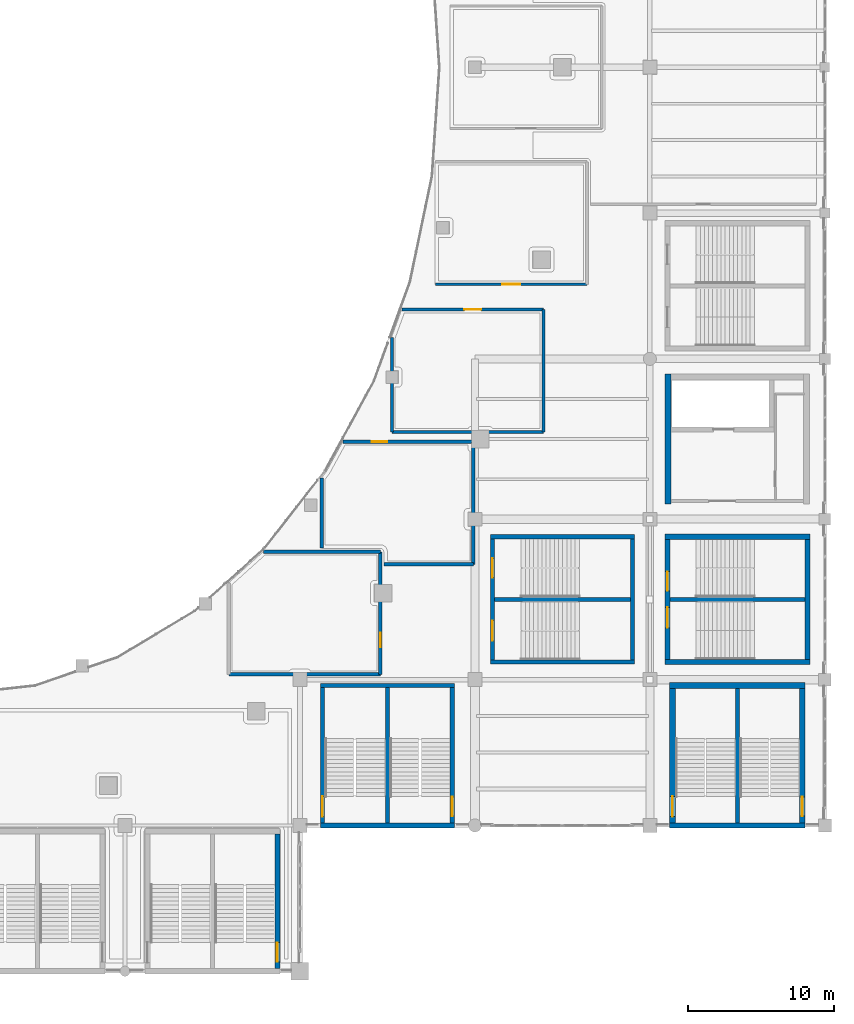
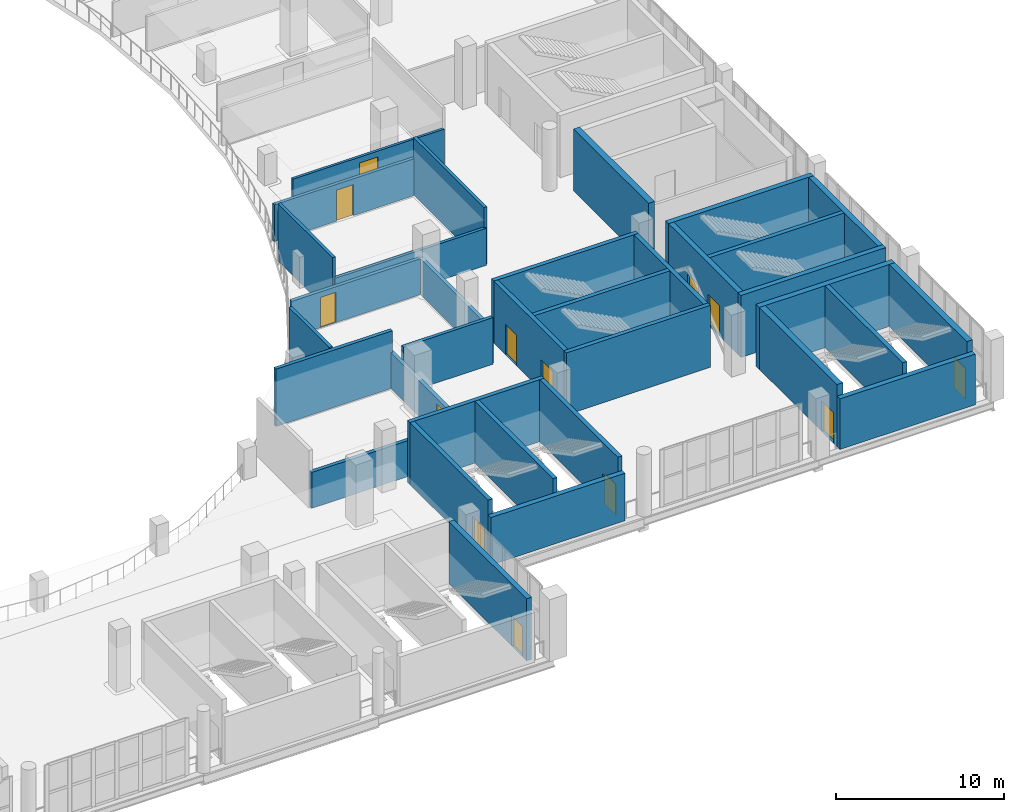
# One storey, part 66 of 90: 34 walls, 13 doors, 13 openings.
"""IFC4 building model written with IfcOpenShell, lengths in metres."""

from ifc_helpers import new_model, si_unit, direction, frame, frame_2d, origin, place, context, subcontext, project, spatial, rectangle, extrude, material, layer, layer_set, type_object, element, fill, save


model = new_model("IFC4")

# Units and contexts
model_context = context("Model", 3, precision=1e-05, world=origin(), true_north=direction((0.0, 1.0)))
body_context = subcontext(model_context, "Body", "Model", "MODEL_VIEW")
ifc_project = project(units=[si_unit("LENGTHUNIT", "METRE"), si_unit("AREAUNIT", "SQUARE_METRE"), si_unit("VOLUMEUNIT", "CUBIC_METRE"), si_unit("PLANEANGLEUNIT", "RADIAN"), si_unit("MASSUNIT", "GRAM", prefix="KILO")], contexts=[model_context])

# Site, building, storey
site_placement = place(None, origin())
site = spatial("IfcSite", under=ifc_project, at=site_placement, CompositionType="ELEMENT")
building_placement = place(site_placement, origin())
building = spatial("IfcBuilding", under=site, at=building_placement, Name="Brinegate Civic Arena", CompositionType="ELEMENT")
storey_placement = place(building_placement, frame((0.0, 0.0, 14.699951171875)))
storey = spatial("IfcBuildingStorey", under=building, at=storey_placement, Name="L03", CompositionType="ELEMENT", Elevation=14.699951171875)

# Wall, opening, door
ifc_material_1 = material(Name="Concrete C50/60", Category="concrete")
ifc_layer_1 = layer(ifc_material_1, 0.35009765625, Name="Concrete C50/60")
ifc_layer_set_1 = layer_set([ifc_layer_1], Name="Concrete C50/60")
wall_type_1 = type_object("IfcWallType", Name="WALL-CORE-SHEAR-350", PredefinedType="SHEAR", material=ifc_layer_set_1)
wall_1_placement = place(storey_placement, frame((130.449951171875, 0.175048828125, 0.0), z_axis=(0.0, 0.0, 1.0), x_axis=(0.0, 1.0, 0.0)))
wall_1 = element("IfcWall", 1, at=wall_1_placement, inside=storey, type_object=wall_type_1, Name="Stair ST-04 East Shear Wall L03 (WBC-11)", PredefinedType="SHEAR", context=body_context, shape_type="SweptSolid", body=[
    extrude(rectangle(XDim=9.25, YDim=0.35009765625, at=frame_2d((4.625, 0.0))), origin(), (0.0, 0.0, 1.0), 4.5),
])
opening_1_placement = place(wall_1_placement, frame((0.465087890625, 0.0, 0.0)))
opening_1 = element("IfcOpeningElement", 2, at=opening_1_placement, cuts=wall_1, Name="Opening D-ST04B-L03", PredefinedType="OPENING", context=body_context, shape_type="SweptSolid", body=[
    extrude(rectangle(XDim=1.320068359375, YDim=2.199951171875, at=frame_2d((0.66015625, 1.10009765625))), frame((0.0, 0.18505859375, 0.0), z_axis=(0.0, -1.0, 0.0), x_axis=(1.0, 0.0, 0.0)), (0.0, 0.0, 1.0), 0.3701171875),
])
ifc_material_2 = material(Name="Galvanized hurricane steel", Category="steel")
door_type_1 = type_object("IfcDoorType", Name="DOOR-STAIR-2200X2200", OperationType="NOTDEFINED", PredefinedType="DOOR", material=ifc_material_2)
door_1_placement = place(opening_1_placement, origin())
door_1 = element("IfcDoor", 3, at=door_1_placement, inside=storey, type_object=door_type_1, Name="Protected Exit Stair Door D-ST04B-L03", OperationType="DOUBLE_DOOR_SINGLE_SWING", OverallHeight=2.199951171875, OverallWidth=1.320068359375, PredefinedType="DOOR", context=body_context, shape_type="SweptSolid", body=[
    extrude(rectangle(XDim=1.320068359375, YDim=2.199951171875, at=frame_2d((0.66015625, 1.10009765625))), frame((0.0, 0.02490234375, 0.0), z_axis=(0.0, -1.0, 0.0), x_axis=(1.0, 0.0, 0.0)), (0.0, 0.0, 1.0), 0.050048828125),
])
fill(opening_1, door_1)

# Walls
for number, where, z_axis, x_axis, name in (
    (4, (157.02490234375, 21.199951171875, 0.0), (0.0, 0.0, 1.0), (1.0, 0.0, 0.0), "Stair ST-19 South Shear Wall L03 (WBL-41)"),
    (5, (157.02490234375, 29.800048828125, 0.0), (0.0, 0.0, 1.0), (1.0, 0.0, 0.0), "Stair ST-19 North Shear Wall L03 (WBL-42)"),
):
    element("IfcWall", number, at=place(storey_placement, frame(where, z_axis=z_axis, x_axis=x_axis)), inside=storey, type_object=wall_type_1, Name=name, PredefinedType="SHEAR", context=body_context, shape_type="SweptSolid", body=[
        extrude(rectangle(XDim=9.9501953125, YDim=0.35009765625, at=frame_2d((4.97509765625, 0.0))), origin(), (0.0, 0.0, 1.0), 4.5),
    ])

# Wall, openings, doors
wall_2_placement = place(storey_placement, frame((157.199951171875, 21.375, 0.0), z_axis=(0.0, 0.0, 1.0), x_axis=(0.0, 1.0, 0.0)))
wall_2 = element("IfcWall", 6, at=wall_2_placement, inside=storey, type_object=wall_type_1, Name="Stair ST-19 West Shear Wall L03 (WBL-43)", PredefinedType="SHEAR", context=body_context, shape_type="SweptSolid", body=[
    extrude(rectangle(XDim=8.25, YDim=0.35009765625, at=frame_2d((4.125, 0.0))), origin(), (0.0, 0.0, 1.0), 4.5),
])
opening_2_placement = place(wall_2_placement, frame((2.175048828125, 0.0, 0.0)))
opening_2 = element("IfcOpeningElement", 7, at=opening_2_placement, cuts=wall_2, Name="Opening D-ST19A-L03", PredefinedType="OPENING", context=body_context, shape_type="SweptSolid", body=[
    extrude(rectangle(XDim=1.39990234375, YDim=2.199951171875, at=frame_2d((0.699951171875, 1.10009765625))), frame((0.0, 0.18505859375, 0.0), z_axis=(0.0, -1.0, 0.0), x_axis=(1.0, 0.0, 0.0)), (0.0, 0.0, 1.0), 0.3701171875),
])
opening_3_placement = place(wall_2_placement, frame((4.715087890625, 0.0, 0.0)))
opening_3 = element("IfcOpeningElement", 8, at=opening_3_placement, cuts=wall_2, Name="Opening D-ST19B-L03", PredefinedType="OPENING", context=body_context, shape_type="SweptSolid", body=[
    extrude(rectangle(XDim=1.320068359375, YDim=2.199951171875, at=frame_2d((0.66015625, 1.10009765625))), frame((0.0, 0.18505859375, 0.0), z_axis=(0.0, -1.0, 0.0), x_axis=(1.0, 0.0, 0.0)), (0.0, 0.0, 1.0), 0.3701171875),
])
door_2_placement = place(opening_3_placement, origin())
door_2 = element("IfcDoor", 9, at=door_2_placement, inside=storey, type_object=door_type_1, Name="Protected Exit Stair Door D-ST19B-L03", OperationType="DOUBLE_DOOR_SINGLE_SWING", OverallHeight=2.199951171875, OverallWidth=1.320068359375, PredefinedType="DOOR", context=body_context, shape_type="SweptSolid", body=[
    extrude(rectangle(XDim=1.320068359375, YDim=2.199951171875, at=frame_2d((0.66015625, 1.10009765625))), frame((0.0, 0.02490234375, 0.0), z_axis=(0.0, -1.0, 0.0), x_axis=(1.0, 0.0, 0.0)), (0.0, 0.0, 1.0), 0.050048828125),
])
fill(opening_3, door_2)
door_type_2 = type_object("IfcDoorType", Name="DOOR-STAIR-2400X2200", OperationType="NOTDEFINED", PredefinedType="DOOR", material=ifc_material_2)
door_3_placement = place(opening_2_placement, origin())
door_3 = element("IfcDoor", 10, at=door_3_placement, inside=storey, type_object=door_type_2, Name="Protected Exit Stair Door D-ST19A-L03", OperationType="DOUBLE_DOOR_SINGLE_SWING", OverallHeight=2.199951171875, OverallWidth=1.39990234375, PredefinedType="DOOR", context=body_context, shape_type="SweptSolid", body=[
    extrude(rectangle(XDim=1.39990234375, YDim=2.199951171875, at=frame_2d((0.699951171875, 1.10009765625))), frame((0.0, 0.02490234375, 0.0), z_axis=(0.0, -1.0, 0.0), x_axis=(1.0, 0.0, 0.0)), (0.0, 0.0, 1.0), 0.050048828125),
])
fill(opening_2, door_3)

# Walls
wall_3_placement = place(storey_placement, frame((166.800048828125, 21.375, 0.0), z_axis=(0.0, 0.0, 1.0), x_axis=(0.0, 1.0, 0.0)))
element("IfcWall", 11, at=wall_3_placement, inside=storey, type_object=wall_type_1, Name="Stair ST-19 East Shear Wall L03 (WBL-44)", PredefinedType="SHEAR", context=body_context, shape_type="SweptSolid", body=[
    extrude(rectangle(XDim=8.25, YDim=0.35009765625, at=frame_2d((4.125, 0.0))), origin(), (0.0, 0.0, 1.0), 4.5),
])
ifc_layer_2 = layer(ifc_material_1, 0.389892578125, Name="Concrete C50/60")
ifc_layer_set_2 = layer_set([ifc_layer_2], Name="Concrete C50/60")
wall_type_2 = type_object("IfcWallType", Name="WALL-CORE-SHEAR-390", PredefinedType="SHEAR", material=ifc_layer_set_2)
wall_4_placement = place(storey_placement, frame((157.35498046875, 19.60009765625, 0.0), z_axis=(0.0, 0.0, 1.0), x_axis=(1.0, 0.0, 0.0)))
element("IfcWall", 12, at=wall_4_placement, inside=storey, type_object=wall_type_2, Name="Stair ST-06 North Shear Wall L03 (WBC-59)", PredefinedType="SHEAR", context=body_context, shape_type="SweptSolid", body=[
    extrude(rectangle(XDim=9.2900390625, YDim=0.389892578125, at=frame_2d((4.64501953125, 0.0))), origin(), (0.0, 0.0, 1.0), 4.5),
])

# Wall, opening, door
wall_5_placement = place(storey_placement, frame((157.550048828125, 10.175048828125, 0.0), z_axis=(0.0, 0.0, 1.0), x_axis=(0.0, 1.0, 0.0)))
wall_5 = element("IfcWall", 13, at=wall_5_placement, inside=storey, type_object=wall_type_2, Name="Stair ST-06 West Shear Wall L03 (WBC-60)", PredefinedType="SHEAR", context=body_context, shape_type="SweptSolid", body=[
    extrude(rectangle(XDim=9.22998046875, YDim=0.389892578125, at=frame_2d((4.614990234375, 0.0))), origin(), (0.0, 0.0, 1.0), 4.5),
])
opening_4_placement = place(wall_5_placement, frame((0.425048828125, 0.0, 0.0)))
opening_4 = element("IfcOpeningElement", 14, at=opening_4_placement, cuts=wall_5, Name="Opening D-ST06A-L03", PredefinedType="OPENING", context=body_context, shape_type="SweptSolid", body=[
    extrude(rectangle(XDim=1.39990234375, YDim=2.199951171875, at=frame_2d((0.699951171875, 1.10009765625))), frame((0.0, 0.204833984375, 0.0), z_axis=(0.0, -1.0, 0.0), x_axis=(1.0, 0.0, 0.0)), (0.0, 0.0, 1.0), 0.409912109375),
])
door_4_placement = place(opening_4_placement, frame((1.39990234375, 0.0, 0.0), z_axis=(0.0, 0.0, 1.0), x_axis=(-1.0, 0.0, 0.0)))
door_4 = element("IfcDoor", 15, at=door_4_placement, inside=storey, type_object=door_type_2, Name="Protected Exit Stair Door D-ST06A-L03", OperationType="DOUBLE_DOOR_SINGLE_SWING", OverallHeight=2.199951171875, OverallWidth=1.39990234375, PredefinedType="DOOR", context=body_context, shape_type="SweptSolid", body=[
    extrude(rectangle(XDim=1.39990234375, YDim=2.199951171875, at=frame_2d((0.699951171875, 1.10009765625))), frame((0.0, 0.02490234375, 0.0), z_axis=(0.0, -1.0, 0.0), x_axis=(1.0, 0.0, 0.0)), (0.0, 0.0, 1.0), 0.050048828125),
])
fill(opening_4, door_4)

wall_6_placement = place(storey_placement, frame((166.449951171875, 10.175048828125, 0.0), z_axis=(0.0, 0.0, 1.0), x_axis=(0.0, 1.0, 0.0)))
wall_6 = element("IfcWall", 16, at=wall_6_placement, inside=storey, type_object=wall_type_2, Name="Stair ST-06 East Shear Wall L03 (WBC-61)", PredefinedType="SHEAR", context=body_context, shape_type="SweptSolid", body=[
    extrude(rectangle(XDim=9.22998046875, YDim=0.389892578125, at=frame_2d((4.614990234375, 0.0))), origin(), (0.0, 0.0, 1.0), 4.5),
])
opening_5_placement = place(wall_6_placement, frame((0.465087890625, 0.0, 0.0)))
opening_5 = element("IfcOpeningElement", 17, at=opening_5_placement, cuts=wall_6, Name="Opening D-ST06B-L03", PredefinedType="OPENING", context=body_context, shape_type="SweptSolid", body=[
    extrude(rectangle(XDim=1.320068359375, YDim=2.199951171875, at=frame_2d((0.66015625, 1.10009765625))), frame((0.0, 0.204833984375, 0.0), z_axis=(0.0, -1.0, 0.0), x_axis=(1.0, 0.0, 0.0)), (0.0, 0.0, 1.0), 0.409912109375),
])
door_5_placement = place(opening_5_placement, origin())
door_5 = element("IfcDoor", 18, at=door_5_placement, inside=storey, type_object=door_type_1, Name="Protected Exit Stair Door D-ST06B-L03", OperationType="DOUBLE_DOOR_SINGLE_SWING", OverallHeight=2.199951171875, OverallWidth=1.320068359375, PredefinedType="DOOR", context=body_context, shape_type="SweptSolid", body=[
    extrude(rectangle(XDim=1.320068359375, YDim=2.199951171875, at=frame_2d((0.66015625, 1.10009765625))), frame((0.0, 0.02490234375, 0.0), z_axis=(0.0, -1.0, 0.0), x_axis=(1.0, 0.0, 0.0)), (0.0, 0.0, 1.0), 0.050048828125),
])
fill(opening_5, door_5)

# Walls
ifc_layer_3 = layer(ifc_material_1, 0.419921875, Name="Concrete C50/60")
ifc_layer_set_3 = layer_set([ifc_layer_3], Name="Concrete C50/60")
wall_type_3 = type_object("IfcWallType", Name="WALL-CORE-SHEAR-420", PredefinedType="SHEAR", material=ifc_layer_set_3)
wall_7_placement = place(storey_placement, frame((157.25, 32.0400390625, 0.0), z_axis=(0.0, 0.0, 1.0), x_axis=(0.0, 1.0, 0.0)))
element("IfcWall", 19, at=wall_7_placement, inside=storey, type_object=wall_type_3, Name="Core K6 West Shear Wall L03 (WBI-05)", PredefinedType="SHEAR", context=body_context, shape_type="SweptSolid", body=[
    extrude(rectangle(XDim=8.919921875, YDim=0.419921875, at=frame_2d((4.4599609375, 0.0))), origin(), (0.0, 0.0, 1.0), 4.5),
])
ifc_layer_4 = layer(ifc_material_1, 0.35009765625, Name="Concrete C50/60")
ifc_layer_set_4 = layer_set([ifc_layer_4], Name="Concrete C50/60")
wall_type_4 = type_object("IfcWallType", Name="WALL-EXT-STAIR-SHEAR-350", PredefinedType="SHEAR", material=ifc_layer_set_4)
wall_8_placement = place(storey_placement, frame((157.35498046875, 10.0, 0.0), z_axis=(0.0, 0.0, 1.0), x_axis=(1.0, 0.0, 0.0)))
element("IfcWall", 20, at=wall_8_placement, inside=storey, type_object=wall_type_4, Name="Stair ST-06 South Shear Wall L03 (WBC-58)", PredefinedType="SHEAR", context=body_context, shape_type="SweptSolid", body=[
    extrude(rectangle(XDim=9.2900390625, YDim=0.35009765625, at=frame_2d((4.64501953125, 0.0))), origin(), (0.0, 0.0, 1.0), 3.674072265625),
])
wall_9_placement = place(storey_placement, frame((133.405029296875, 10.0, 0.0), z_axis=(0.0, 0.0, 1.0), x_axis=(1.0, 0.0, 0.0)))
element("IfcWall", 21, at=wall_9_placement, inside=storey, type_object=wall_type_4, Name="Stair ST-14 South Shear Wall L03 (WBE-70)", PredefinedType="SHEAR", context=body_context, shape_type="SweptSolid", body=[
    extrude(rectangle(XDim=9.18994140625, YDim=0.35009765625, at=frame_2d((4.594970703125, 0.0))), origin(), (0.0, 0.0, 1.0), 3.447021484375),
])
ifc_material_3 = material(Name="Concrete C40/50", Category="concrete")
ifc_layer_5 = layer(ifc_material_3, 0.2099609375, Name="Concrete C40/50")
ifc_layer_set_5 = layer_set([ifc_layer_5], Name="Concrete C40/50")
wall_type_5 = type_object("IfcWallType", Name="WALL-INT-SOLID-210", PredefinedType="SOLIDWALL", material=ifc_layer_set_5)
wall_10_placement = place(storey_placement, frame((148.701904296875, 36.97705078125, 0.0), z_axis=(0.0, 0.0, 1.0), x_axis=(-1.0, 0.0, 0.0)))
element("IfcWall", 22, at=wall_10_placement, inside=storey, type_object=wall_type_5, Name="Hospitality Suite L03-03 Partition Wall E1 (WBJ-51)", PredefinedType="SOLIDWALL", context=body_context, shape_type="SweptSolid", body=[
    extrude(rectangle(XDim=10.39990234375, YDim=0.2099609375, at=frame_2d((5.199951171875, 0.0))), origin(), (0.0, 0.0, 1.0), 2.678955078125),
])
wall_11_placement = place(storey_placement, frame((138.302001953125, 36.97705078125, 0.0), z_axis=(0.0, 0.0, 1.0), x_axis=(0.0, 1.0, 0.0)))
element("IfcWall", 23, at=wall_11_placement, inside=storey, type_object=wall_type_5, Name="Hospitality Suite L03-03 Partition Wall E2 (WBJ-52)", PredefinedType="SOLIDWALL", context=body_context, shape_type="SweptSolid", body=[
    extrude(rectangle(XDim=6.488037109375, YDim=0.2099609375, at=frame_2d((3.244140625, 0.0))), origin(), (0.0, 0.0, 1.0), 4.16015625),
])

# Wall, opening, door
wall_12_placement = place(storey_placement, frame((138.9970703125, 45.376953125, 0.0), z_axis=(0.0, 0.0, 1.0), x_axis=(1.0, 0.0, 0.0)))
wall_12 = element("IfcWall", 24, at=wall_12_placement, inside=storey, type_object=wall_type_5, Name="Hospitality Suite L03-03 Partition Wall E4 (WBJ-53)", PredefinedType="SOLIDWALL", context=body_context, shape_type="SweptSolid", body=[
    extrude(rectangle(XDim=9.704833984375, YDim=0.2099609375, at=frame_2d((4.8525390625, 0.0))), origin(), (0.0, 0.0, 1.0), 2.678955078125),
])
opening_6_placement = place(wall_12_placement, frame((4.278076171875, 0.0, 0.0)))
opening_6 = element("IfcOpeningElement", 25, at=opening_6_placement, cuts=wall_12, Name="Opening D-L03-194", PredefinedType="OPENING", context=body_context, shape_type="SweptSolid", body=[
    extrude(rectangle(XDim=1.14990234375, YDim=2.25, at=frame_2d((0.574951171875, 1.125))), frame((0.0, 0.114990234375, 0.0), z_axis=(0.0, -1.0, 0.0), x_axis=(1.0, 0.0, 0.0)), (0.0, 0.0, 1.0), 0.22998046875),
])
ifc_material_4 = material(Name="Hardwood acoustic timber door", Category="wood")
door_type_3 = type_object("IfcDoorType", Name="DOOR-SUITE-1150X2250", OperationType="NOTDEFINED", PredefinedType="DOOR", material=ifc_material_4)
door_6_placement = place(opening_6_placement, origin())
door_6 = element("IfcDoor", 26, at=door_6_placement, inside=storey, type_object=door_type_3, Name="Hospitality Suite L03-03 Door D-L03-194", OperationType="SINGLE_SWING_RIGHT", OverallHeight=2.25, OverallWidth=1.14990234375, PredefinedType="DOOR", context=body_context, shape_type="SweptSolid", body=[
    extrude(rectangle(XDim=1.14990234375, YDim=2.25, at=frame_2d((0.574951171875, 1.125))), frame((0.0, 0.02490234375, 0.0), z_axis=(0.0, -1.0, 0.0), x_axis=(1.0, 0.0, 0.0)), (0.0, 0.0, 1.0), 0.050048828125),
])
fill(opening_6, door_6)

# Walls
wall_13_placement = place(storey_placement, frame((148.701904296875, 45.376953125, 0.0), z_axis=(0.0, 0.0, 1.0), x_axis=(0.0, -1.0, 0.0)))
element("IfcWall", 27, at=wall_13_placement, inside=storey, type_object=wall_type_5, Name="Hospitality Suite L03-03 Partition Wall E5 (WBJ-54)", PredefinedType="SOLIDWALL", context=body_context, shape_type="SweptSolid", body=[
    extrude(rectangle(XDim=8.39990234375, YDim=0.2099609375, at=frame_2d((4.199951171875, 0.0))), origin(), (0.0, 0.0, 1.0), 4.16015625),
])
ifc_layer_6 = layer(ifc_material_3, 0.22998046875, Name="Concrete C40/50")
ifc_layer_set_6 = layer_set([ifc_layer_6], Name="Concrete C40/50")
wall_type_6 = type_object("IfcWallType", Name="WALL-INT-SOLID-230", PredefinedType="SOLIDWALL", material=ifc_layer_set_6)
wall_14_placement = place(storey_placement, frame((143.89697265625, 27.906982421875, 0.0), z_axis=(0.0, 0.0, 1.0), x_axis=(-1.0, 0.0, 0.0)))
element("IfcWall", 28, at=wall_14_placement, inside=storey, type_object=wall_type_6, Name="Hospitality Suite L03-02 Partition Wall E1 (WBJ-47)", PredefinedType="SOLIDWALL", context=body_context, shape_type="SweptSolid", body=[
    extrude(rectangle(XDim=6.1279296875, YDim=0.22998046875, at=frame_2d((3.06396484375, 0.0))), origin(), (0.0, 0.0, 1.0), 3.39013671875),
])
wall_15_placement = place(storey_placement, frame((133.4970703125, 29.01904296875, 0.0), z_axis=(0.0, 0.0, 1.0), x_axis=(0.0, 1.0, 0.0)))
element("IfcWall", 29, at=wall_15_placement, inside=storey, type_object=wall_type_6, Name="Hospitality Suite L03-02 Partition Wall E14 (WBJ-48)", PredefinedType="SOLIDWALL", context=body_context, shape_type="SweptSolid", body=[
    extrude(rectangle(XDim=4.803955078125, YDim=0.22998046875, at=frame_2d((2.40185546875, 0.0))), origin(), (0.0, 0.0, 1.0), 4.16015625),
])

# Wall, opening, door
wall_16_placement = place(storey_placement, frame((134.951904296875, 36.306884765625, 0.0), z_axis=(0.0, 0.0, 1.0), x_axis=(1.0, 0.0, 0.0)))
wall_16 = element("IfcWall", 30, at=wall_16_placement, inside=storey, type_object=wall_type_6, Name="Hospitality Suite L03-02 Partition Wall E18 (WBJ-49)", PredefinedType="SOLIDWALL", context=body_context, shape_type="SweptSolid", body=[
    extrude(rectangle(XDim=8.945068359375, YDim=0.22998046875, at=frame_2d((4.47265625, 0.0))), origin(), (0.0, 0.0, 1.0), 2.60302734375),
])
opening_7_placement = place(wall_16_placement, frame((1.97998046875, 0.0, 0.0)))
opening_7 = element("IfcOpeningElement", 31, at=opening_7_placement, cuts=wall_16, Name="Opening D-L03-193", PredefinedType="OPENING", context=body_context, shape_type="SweptSolid", body=[
    extrude(rectangle(XDim=1.050048828125, YDim=2.199951171875, at=frame_2d((0.52490234375, 1.10009765625))), frame((0.0, 0.125, 0.0), z_axis=(0.0, -1.0, 0.0), x_axis=(1.0, 0.0, 0.0)), (0.0, 0.0, 1.0), 0.25),
])
door_type_4 = type_object("IfcDoorType", Name="DOOR-SUITE-1050X2200", OperationType="NOTDEFINED", PredefinedType="DOOR", material=ifc_material_4)
door_7_placement = place(opening_7_placement, origin())
door_7 = element("IfcDoor", 32, at=door_7_placement, inside=storey, type_object=door_type_4, Name="Hospitality Suite L03-02 Door D-L03-193", OperationType="SINGLE_SWING_LEFT", OverallHeight=2.199951171875, OverallWidth=1.050048828125, PredefinedType="DOOR", context=body_context, shape_type="SweptSolid", body=[
    extrude(rectangle(XDim=1.050048828125, YDim=2.199951171875, at=frame_2d((0.52490234375, 1.10009765625))), frame((0.0, 0.02490234375, 0.0), z_axis=(0.0, -1.0, 0.0), x_axis=(1.0, 0.0, 0.0)), (0.0, 0.0, 1.0), 0.050048828125),
])
fill(opening_7, door_7)

# Walls
wall_17_placement = place(storey_placement, frame((143.89697265625, 36.306884765625, 0.0), z_axis=(0.0, 0.0, 1.0), x_axis=(0.0, -1.0, 0.0)))
element("IfcWall", 33, at=wall_17_placement, inside=storey, type_object=wall_type_6, Name="Hospitality Suite L03-02 Partition Wall E19 (WBJ-50)", PredefinedType="SOLIDWALL", context=body_context, shape_type="SweptSolid", body=[
    extrude(rectangle(XDim=8.39990234375, YDim=0.22998046875, at=frame_2d((4.199951171875, 0.0))), origin(), (0.0, 0.0, 1.0), 2.60302734375),
])
ifc_layer_7 = layer(ifc_material_3, 0.25, Name="Concrete C40/50")
ifc_layer_set_7 = layer_set([ifc_layer_7], Name="Concrete C40/50")
wall_type_7 = type_object("IfcWallType", Name="WALL-INT-SOLID-250", PredefinedType="SOLIDWALL", material=ifc_layer_set_7)
wall_18_placement = place(storey_placement, frame((137.51904296875, 20.368896484375, 0.0), z_axis=(0.0, 0.0, 1.0), x_axis=(-1.0, 0.0, 0.0)))
element("IfcWall", 34, at=wall_18_placement, inside=storey, type_object=wall_type_7, Name="Hospitality Suite L03-01 Partition Wall E1 (WBJ-43)", PredefinedType="SOLIDWALL", context=body_context, shape_type="SweptSolid", body=[
    extrude(rectangle(XDim=10.400146484375, YDim=0.25, at=frame_2d((5.2001953125, 0.0))), origin(), (0.0, 0.0, 1.0), 2.60302734375),
])
wall_19_placement = place(storey_placement, frame((129.508056640625, 28.76904296875, 0.0), z_axis=(0.0, 0.0, 1.0), x_axis=(1.0, 0.0, 0.0)))
element("IfcWall", 35, at=wall_19_placement, inside=storey, type_object=wall_type_7, Name="Hospitality Suite L03-01 Partition Wall E4 (WBJ-45)", PredefinedType="SOLIDWALL", context=body_context, shape_type="SweptSolid", body=[
    extrude(rectangle(XDim=8.010986328125, YDim=0.25, at=frame_2d((4.00537109375, 0.0))), origin(), (0.0, 0.0, 1.0), 4.16015625),
])

# Wall, opening, door
wall_20_placement = place(storey_placement, frame((137.51904296875, 28.76904296875, 0.0), z_axis=(0.0, 0.0, 1.0), x_axis=(0.0, -1.0, 0.0)))
wall_20 = element("IfcWall", 36, at=wall_20_placement, inside=storey, type_object=wall_type_7, Name="Hospitality Suite L03-01 Partition Wall E5 (WBJ-46)", PredefinedType="SOLIDWALL", context=body_context, shape_type="SweptSolid", body=[
    extrude(rectangle(XDim=8.400146484375, YDim=0.25, at=frame_2d((4.2001953125, 0.0))), origin(), (0.0, 0.0, 1.0), 2.60302734375),
])
opening_8_placement = place(wall_20_placement, frame((5.548095703125, 0.0, 0.0)))
opening_8 = element("IfcOpeningElement", 37, at=opening_8_placement, cuts=wall_20, Name="Opening D-L03-192", PredefinedType="OPENING", context=body_context, shape_type="SweptSolid", body=[
    extrude(rectangle(XDim=1.0, YDim=2.199951171875, at=frame_2d((0.5, 1.10009765625))), frame((0.0, 0.135009765625, 0.0), z_axis=(0.0, -1.0, 0.0), x_axis=(1.0, 0.0, 0.0)), (0.0, 0.0, 1.0), 0.27001953125),
])
door_type_5 = type_object("IfcDoorType", Name="DOOR-SUITE-1000X2200", OperationType="NOTDEFINED", PredefinedType="DOOR", material=ifc_material_4)
door_8_placement = place(opening_8_placement, origin())
door_8 = element("IfcDoor", 38, at=door_8_placement, inside=storey, type_object=door_type_5, Name="Hospitality Suite L03-01 Door D-L03-192", OperationType="SINGLE_SWING_RIGHT", OverallHeight=2.199951171875, OverallWidth=1.0, PredefinedType="DOOR", context=body_context, shape_type="SweptSolid", body=[
    extrude(rectangle(XDim=1.0, YDim=2.199951171875, at=frame_2d((0.5, 1.10009765625))), frame((0.0, 0.02490234375, 0.0), z_axis=(0.0, -1.0, 0.0), x_axis=(1.0, 0.0, 0.0)), (0.0, 0.0, 1.0), 0.050048828125),
])
fill(opening_8, door_8)

ifc_material_5 = material(Name="Fire-rated gypsum partition assembly")
ifc_layer_8 = layer(ifc_material_5, 0.175048828125, Name="Fire-rated gypsum partition assembly")
ifc_layer_set_8 = layer_set([ifc_layer_8], Name="Fire-rated gypsum partition assembly")
wall_type_8 = type_object("IfcWallType", Name="WALL-PART-RATED-175", PredefinedType="PARTITIONING", material=ifc_layer_set_8)
wall_21_placement = place(storey_placement, frame((151.68798828125, 47.114990234375, 0.0), z_axis=(0.0, 0.0, 1.0), x_axis=(-1.0, 0.0, 0.0)))
wall_21 = element("IfcWall", 39, at=wall_21_placement, inside=storey, type_object=wall_type_8, Name="Hospitality Suite L03-04 Partition Wall E2 (WBJ-56)", PredefinedType="PARTITIONING", context=body_context, shape_type="SweptSolid", body=[
    extrude(rectangle(XDim=10.39990234375, YDim=0.175048828125, at=frame_2d((5.199951171875, 0.0))), origin(), (0.0, 0.0, 1.0), 2.678955078125),
])
opening_9_placement = place(wall_21_placement, frame((4.574951171875, 0.0, 0.0)))
opening_9 = element("IfcOpeningElement", 40, at=opening_9_placement, cuts=wall_21, Name="Opening D-L03-195", PredefinedType="OPENING", context=body_context, shape_type="SweptSolid", body=[
    extrude(rectangle(XDim=1.25, YDim=2.25, at=frame_2d((0.625, 1.125))), frame((0.0, 0.097412109375, 0.0), z_axis=(0.0, -1.0, 0.0), x_axis=(1.0, 0.0, 0.0)), (0.0, 0.0, 1.0), 0.195068359375),
])
door_type_6 = type_object("IfcDoorType", Name="DOOR-SUITE-1250X2250", OperationType="NOTDEFINED", PredefinedType="DOOR", material=ifc_material_4)
door_9_placement = place(opening_9_placement, origin())
door_9 = element("IfcDoor", 41, at=door_9_placement, inside=storey, type_object=door_type_6, Name="Hospitality Suite L03-04 Door D-L03-195", OperationType="SINGLE_SWING_LEFT", OverallHeight=2.25, OverallWidth=1.25, PredefinedType="DOOR", context=body_context, shape_type="SweptSolid", body=[
    extrude(rectangle(XDim=1.25, YDim=2.25, at=frame_2d((0.625, 1.125))), frame((0.0, 0.02490234375, 0.0), z_axis=(0.0, -1.0, 0.0), x_axis=(1.0, 0.0, 0.0)), (0.0, 0.0, 1.0), 0.050048828125),
])
fill(opening_9, door_9)

# Walls
ifc_layer_9 = layer(ifc_material_1, 0.2900390625, Name="Concrete C50/60")
ifc_layer_set_9 = layer_set([ifc_layer_9], Name="Concrete C50/60")
wall_type_9 = type_object("IfcWallType", Name="WALL-STAIR-SHEAR-290", PredefinedType="SHEAR", material=ifc_layer_set_9)
wall_22_placement = place(storey_placement, frame((162.0, 10.175048828125, 0.0), z_axis=(0.0, 0.0, 1.0), x_axis=(0.0, 1.0, 0.0)))
element("IfcWall", 42, at=wall_22_placement, inside=storey, type_object=wall_type_9, Name="Stair ST-06 Central Dividing Shear Wall L03 (WBC-62)", PredefinedType="SHEAR", context=body_context, shape_type="SweptSolid", body=[
    extrude(rectangle(XDim=9.22998046875, YDim=0.2900390625, at=frame_2d((4.614990234375, 0.0))), origin(), (0.0, 0.0, 1.0), 4.5),
])
wall_23_placement = place(storey_placement, frame((133.405029296875, 19.60009765625, 0.0), z_axis=(0.0, 0.0, 1.0), x_axis=(1.0, 0.0, 0.0)))
element("IfcWall", 43, at=wall_23_placement, inside=storey, type_object=wall_type_9, Name="Stair ST-14 North Shear Wall L03 (WBE-71)", PredefinedType="SHEAR", context=body_context, shape_type="SweptSolid", body=[
    extrude(rectangle(XDim=9.18994140625, YDim=0.2900390625, at=frame_2d((4.594970703125, 0.0))), origin(), (0.0, 0.0, 1.0), 4.5),
])

# Wall, opening, door
wall_24_placement = place(storey_placement, frame((133.550048828125, 10.175048828125, 0.0), z_axis=(0.0, 0.0, 1.0), x_axis=(0.0, 1.0, 0.0)))
wall_24 = element("IfcWall", 44, at=wall_24_placement, inside=storey, type_object=wall_type_9, Name="Stair ST-14 West Shear Wall L03 (WBE-72)", PredefinedType="SHEAR", context=body_context, shape_type="SweptSolid", body=[
    extrude(rectangle(XDim=9.280029296875, YDim=0.2900390625, at=frame_2d((4.64013671875, 0.0))), origin(), (0.0, 0.0, 1.0), 4.5),
])
opening_10_placement = place(wall_24_placement, frame((0.425048828125, 0.0, 0.0)))
opening_10 = element("IfcOpeningElement", 45, at=opening_10_placement, cuts=wall_24, Name="Opening D-ST14A-L03", PredefinedType="OPENING", context=body_context, shape_type="SweptSolid", body=[
    extrude(rectangle(XDim=1.39990234375, YDim=2.199951171875, at=frame_2d((0.699951171875, 1.10009765625))), frame((0.0, 0.155029296875, 0.0), z_axis=(0.0, -1.0, 0.0), x_axis=(1.0, 0.0, 0.0)), (0.0, 0.0, 1.0), 0.31005859375),
])
door_10_placement = place(opening_10_placement, frame((1.39990234375, 0.0, 0.0), z_axis=(0.0, 0.0, 1.0), x_axis=(-1.0, 0.0, 0.0)))
door_10 = element("IfcDoor", 46, at=door_10_placement, inside=storey, type_object=door_type_2, Name="Protected Exit Stair Door D-ST14A-L03", OperationType="DOUBLE_DOOR_SINGLE_SWING", OverallHeight=2.199951171875, OverallWidth=1.39990234375, PredefinedType="DOOR", context=body_context, shape_type="SweptSolid", body=[
    extrude(rectangle(XDim=1.39990234375, YDim=2.199951171875, at=frame_2d((0.699951171875, 1.10009765625))), frame((0.0, 0.02490234375, 0.0), z_axis=(0.0, -1.0, 0.0), x_axis=(1.0, 0.0, 0.0)), (0.0, 0.0, 1.0), 0.050048828125),
])
fill(opening_10, door_10)

wall_25_placement = place(storey_placement, frame((142.449951171875, 10.175048828125, 0.0), z_axis=(0.0, 0.0, 1.0), x_axis=(0.0, 1.0, 0.0)))
wall_25 = element("IfcWall", 47, at=wall_25_placement, inside=storey, type_object=wall_type_9, Name="Stair ST-14 East Shear Wall L03 (WBE-73)", PredefinedType="SHEAR", context=body_context, shape_type="SweptSolid", body=[
    extrude(rectangle(XDim=9.280029296875, YDim=0.2900390625, at=frame_2d((4.64013671875, 0.0))), origin(), (0.0, 0.0, 1.0), 4.5),
])
opening_11_placement = place(wall_25_placement, frame((0.465087890625, 0.0, 0.0)))
opening_11 = element("IfcOpeningElement", 48, at=opening_11_placement, cuts=wall_25, Name="Opening D-ST14B-L03", PredefinedType="OPENING", context=body_context, shape_type="SweptSolid", body=[
    extrude(rectangle(XDim=1.320068359375, YDim=2.199951171875, at=frame_2d((0.66015625, 1.10009765625))), frame((0.0, 0.155029296875, 0.0), z_axis=(0.0, -1.0, 0.0), x_axis=(1.0, 0.0, 0.0)), (0.0, 0.0, 1.0), 0.31005859375),
])
door_11_placement = place(opening_11_placement, origin())
door_11 = element("IfcDoor", 49, at=door_11_placement, inside=storey, type_object=door_type_1, Name="Protected Exit Stair Door D-ST14B-L03", OperationType="DOUBLE_DOOR_SINGLE_SWING", OverallHeight=2.199951171875, OverallWidth=1.320068359375, PredefinedType="DOOR", context=body_context, shape_type="SweptSolid", body=[
    extrude(rectangle(XDim=1.320068359375, YDim=2.199951171875, at=frame_2d((0.66015625, 1.10009765625))), frame((0.0, 0.02490234375, 0.0), z_axis=(0.0, -1.0, 0.0), x_axis=(1.0, 0.0, 0.0)), (0.0, 0.0, 1.0), 0.050048828125),
])
fill(opening_11, door_11)

# Walls
wall_26_placement = place(storey_placement, frame((138.0, 10.175048828125, 0.0), z_axis=(0.0, 0.0, 1.0), x_axis=(0.0, 1.0, 0.0)))
element("IfcWall", 50, at=wall_26_placement, inside=storey, type_object=wall_type_9, Name="Stair ST-14 Central Dividing Shear Wall L03 (WBE-74)", PredefinedType="SHEAR", context=body_context, shape_type="SweptSolid", body=[
    extrude(rectangle(XDim=9.280029296875, YDim=0.2900390625, at=frame_2d((4.64013671875, 0.0))), origin(), (0.0, 0.0, 1.0), 4.5),
])
for number, where, z_axis, x_axis, name in (
    (51, (145.054931640625, 21.199951171875, 0.0), (0.0, 0.0, 1.0), (1.0, 0.0, 0.0), "Stair ST-17 South Shear Wall L03 (WBK-90)"),
    (52, (145.054931640625, 29.800048828125, 0.0), (0.0, 0.0, 1.0), (1.0, 0.0, 0.0), "Stair ST-17 North Shear Wall L03 (WBK-91)"),
):
    element("IfcWall", number, at=place(storey_placement, frame(where, z_axis=z_axis, x_axis=x_axis)), inside=storey, type_object=wall_type_9, Name=name, PredefinedType="SHEAR", context=body_context, shape_type="SweptSolid", body=[
        extrude(rectangle(XDim=9.89013671875, YDim=0.2900390625, at=frame_2d((4.945068359375, 0.0))), origin(), (0.0, 0.0, 1.0), 4.5),
    ])

# Wall, openings, doors
wall_27_placement = place(storey_placement, frame((145.199951171875, 21.344970703125, 0.0), z_axis=(0.0, 0.0, 1.0), x_axis=(0.0, 1.0, 0.0)))
wall_27 = element("IfcWall", 53, at=wall_27_placement, inside=storey, type_object=wall_type_9, Name="Stair ST-17 West Shear Wall L03 (WBK-92)", PredefinedType="SHEAR", context=body_context, shape_type="SweptSolid", body=[
    extrude(rectangle(XDim=8.31005859375, YDim=0.2900390625, at=frame_2d((4.155029296875, 0.0))), origin(), (0.0, 0.0, 1.0), 4.5),
])
opening_12_placement = place(wall_27_placement, frame((1.304931640625, 0.0, 0.0)))
opening_12 = element("IfcOpeningElement", 54, at=opening_12_placement, cuts=wall_27, Name="Opening D-ST17A-L03", PredefinedType="OPENING", context=body_context, shape_type="SweptSolid", body=[
    extrude(rectangle(XDim=1.39990234375, YDim=2.199951171875, at=frame_2d((0.699951171875, 1.10009765625))), frame((0.0, 0.155029296875, 0.0), z_axis=(0.0, -1.0, 0.0), x_axis=(1.0, 0.0, 0.0)), (0.0, 0.0, 1.0), 0.31005859375),
])
opening_13_placement = place(wall_27_placement, frame((5.64501953125, 0.0, 0.0)))
opening_13 = element("IfcOpeningElement", 55, at=opening_13_placement, cuts=wall_27, Name="Opening D-ST17B-L03", PredefinedType="OPENING", context=body_context, shape_type="SweptSolid", body=[
    extrude(rectangle(XDim=1.320068359375, YDim=2.199951171875, at=frame_2d((0.66015625, 1.10009765625))), frame((0.0, 0.155029296875, 0.0), z_axis=(0.0, -1.0, 0.0), x_axis=(1.0, 0.0, 0.0)), (0.0, 0.0, 1.0), 0.31005859375),
])
door_12_placement = place(opening_13_placement, origin())
door_12 = element("IfcDoor", 56, at=door_12_placement, inside=storey, type_object=door_type_1, Name="Protected Exit Stair Door D-ST17B-L03", OperationType="DOUBLE_DOOR_SINGLE_SWING", OverallHeight=2.199951171875, OverallWidth=1.320068359375, PredefinedType="DOOR", context=body_context, shape_type="SweptSolid", body=[
    extrude(rectangle(XDim=1.320068359375, YDim=2.199951171875, at=frame_2d((0.66015625, 1.10009765625))), frame((0.0, 0.02490234375, 0.0), z_axis=(0.0, -1.0, 0.0), x_axis=(1.0, 0.0, 0.0)), (0.0, 0.0, 1.0), 0.050048828125),
])
fill(opening_13, door_12)
door_13_placement = place(opening_12_placement, origin())
door_13 = element("IfcDoor", 57, at=door_13_placement, inside=storey, type_object=door_type_2, Name="Protected Exit Stair Door D-ST17A-L03", OperationType="DOUBLE_DOOR_SINGLE_SWING", OverallHeight=2.199951171875, OverallWidth=1.39990234375, PredefinedType="DOOR", context=body_context, shape_type="SweptSolid", body=[
    extrude(rectangle(XDim=1.39990234375, YDim=2.199951171875, at=frame_2d((0.699951171875, 1.10009765625))), frame((0.0, 0.02490234375, 0.0), z_axis=(0.0, -1.0, 0.0), x_axis=(1.0, 0.0, 0.0)), (0.0, 0.0, 1.0), 0.050048828125),
])
fill(opening_12, door_13)

# Walls
wall_28_placement = place(storey_placement, frame((154.800048828125, 21.344970703125, 0.0), z_axis=(0.0, 0.0, 1.0), x_axis=(0.0, 1.0, 0.0)))
element("IfcWall", 58, at=wall_28_placement, inside=storey, type_object=wall_type_9, Name="Stair ST-17 East Shear Wall L03 (WBK-93)", PredefinedType="SHEAR", context=body_context, shape_type="SweptSolid", body=[
    extrude(rectangle(XDim=8.31005859375, YDim=0.2900390625, at=frame_2d((4.155029296875, 0.0))), origin(), (0.0, 0.0, 1.0), 4.5),
])
wall_29_placement = place(storey_placement, frame((145.344970703125, 25.5, 0.0), z_axis=(0.0, 0.0, 1.0), x_axis=(1.0, 0.0, 0.0)))
element("IfcWall", 59, at=wall_29_placement, inside=storey, type_object=wall_type_9, Name="Stair ST-17 Central Dividing Shear Wall L03 (WBK-94)", PredefinedType="SHEAR", context=body_context, shape_type="SweptSolid", body=[
    extrude(rectangle(XDim=9.31005859375, YDim=0.2900390625, at=frame_2d((4.655029296875, 0.0))), origin(), (0.0, 0.0, 1.0), 4.5),
])
wall_30_placement = place(storey_placement, frame((157.375, 25.5, 0.0), z_axis=(0.0, 0.0, 1.0), x_axis=(1.0, 0.0, 0.0)))
element("IfcWall", 60, at=wall_30_placement, inside=storey, type_object=wall_type_9, Name="Stair ST-19 Central Dividing Shear Wall L03 (WBL-45)", PredefinedType="SHEAR", context=body_context, shape_type="SweptSolid", body=[
    extrude(rectangle(XDim=9.25, YDim=0.2900390625, at=frame_2d((4.625, 0.0))), origin(), (0.0, 0.0, 1.0), 4.5),
])

save(model, "model.ifc")
